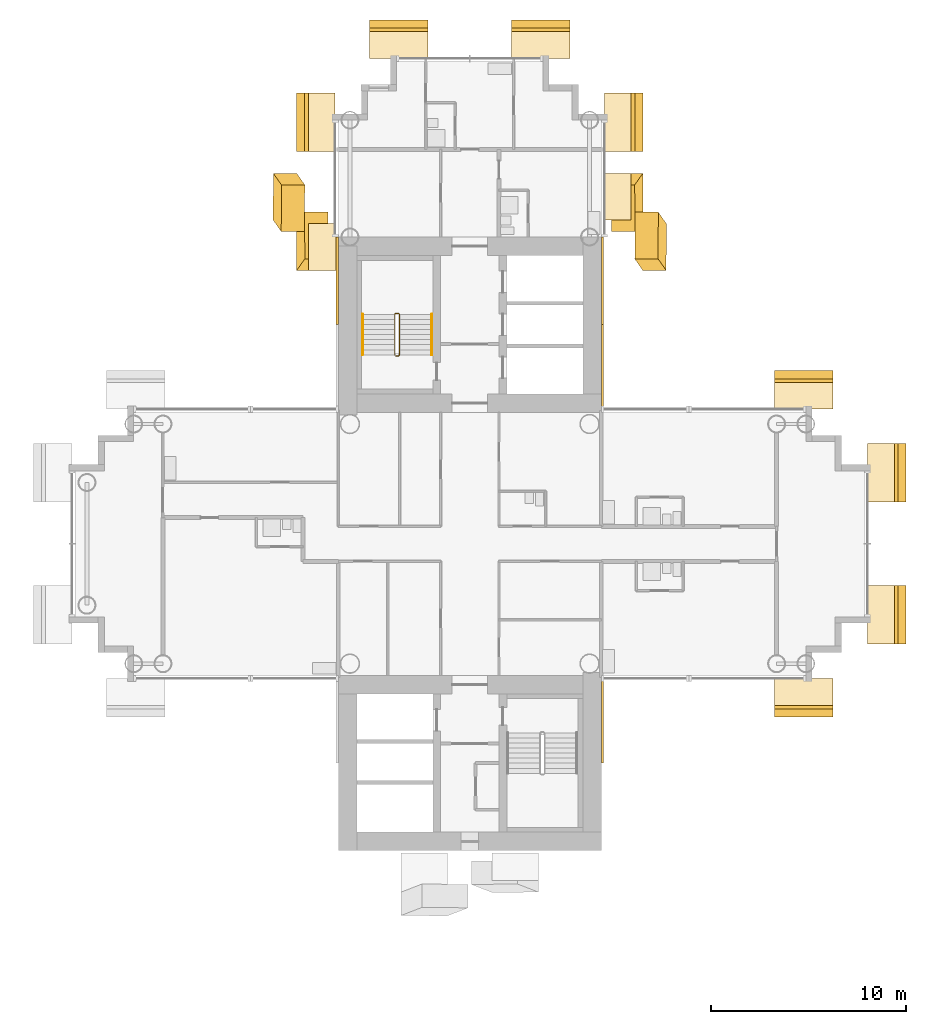
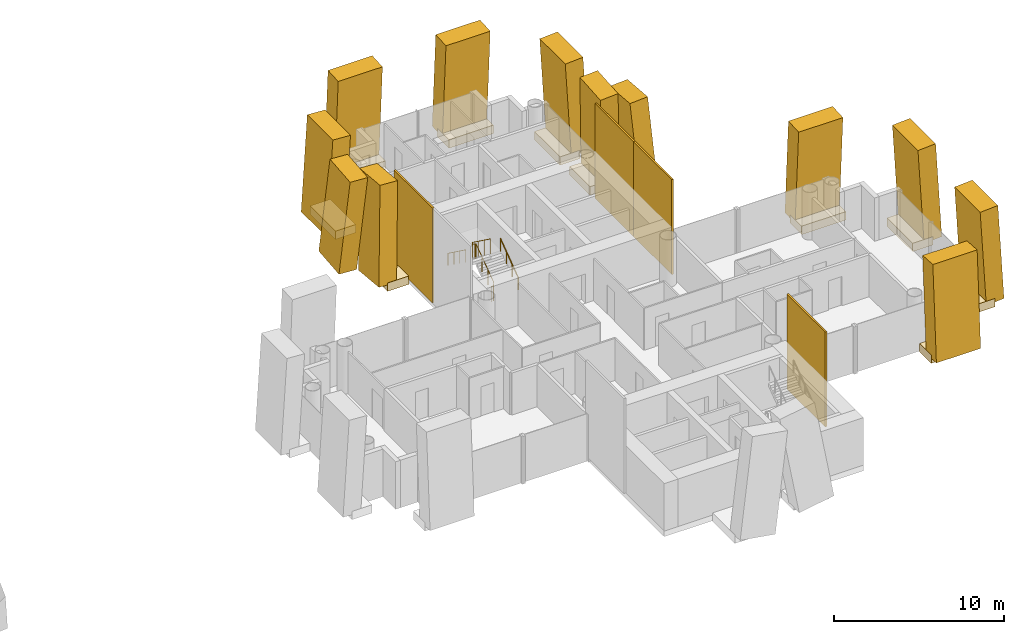
# One storey, part 20 of 21: 26 coverings, 3 railings.
"""IFC4 building model written with IfcOpenShell, lengths in metres."""

import ifcopenshell
import ifcopenshell.guid

model = None  # the IFC model being written
_history = None  # IfcOwnerHistory: only IFC2X3 demands one
_inside = {}  # id of a spatial element -> (the spatial element, [elements in it])
_under = {}  # id of a project, library or spatial element -> (it, [spatial elements below it])
_declared = {}  # id of a project -> (the project, [libraries it declares])
_typed = {}  # id of a type object -> (the type object, [elements of that type])
_made_of = {}  # id of a material, layer set ... -> (it, [elements and type objects made of it])


def new_model(schema):
    """Start an empty IFC model of exactly this schema.

    Asked for "IFC4X3", IfcOpenShell would pick the latest addendum, in which some entities
    have other attributes; the version numbers below select the first issue.
    IFC2X3 requires an IfcOwnerHistory on every rooted entity: one is made here for all.
    """
    global model, _history
    if schema == "IFC4X3":
        model = ifcopenshell.file(schema_version=(4, 3, 0, 0))
    else:
        model = ifcopenshell.file(schema=schema)
    _inside.clear()
    _under.clear()
    _declared.clear()
    _typed.clear()
    _made_of.clear()
    _history = None
    if model.schema == "IFC2X3":
        org = make("IfcOrganization", Name="unknown")
        user = make(
            "IfcPersonAndOrganization",
            ThePerson=make("IfcPerson", FamilyName="unknown"),
            TheOrganization=org,
        )
        app = make(
            "IfcApplication",
            ApplicationDeveloper=org,
            Version="unknown",
            ApplicationFullName="unknown",
            ApplicationIdentifier="unknown",
        )
        _history = make(
            "IfcOwnerHistory",
            OwningUser=user,
            OwningApplication=app,
            ChangeAction="ADDED",
            CreationDate=0,
        )
    return model


def make(cls, **values):
    """One entity of the class cls with the attributes given. An attribute that is None is left unset."""
    return model.create_entity(
        cls, **{name: value for name, value in values.items() if value is not None}
    )


def rooted(cls, **values):
    """An entity with a GlobalId (a new one), such as an element, a storey or a relation."""
    return make(cls, GlobalId=ifcopenshell.guid.new(), OwnerHistory=_history, **values)


def si_unit(unit_type, name, prefix=None):
    """IfcSIUnit, for example si_unit("LENGTHUNIT", "METRE", prefix="MILLI")."""
    return make("IfcSIUnit", UnitType=unit_type, Prefix=prefix, Name=name)


def assignment(units):
    """IfcUnitAssignment: the units of a project."""
    return None if units is None else make("IfcUnitAssignment", Units=units)


def point(xyz):
    """IfcCartesianPoint."""
    return None if xyz is None else make("IfcCartesianPoint", Coordinates=xyz)


def direction(xyz):
    """IfcDirection."""
    return None if xyz is None else make("IfcDirection", DirectionRatios=xyz)


def frame(location, z_axis=None, x_axis=None):
    """IfcAxis2Placement3D, a coordinate frame: its origin and axes. An axis left out is left unset."""
    return make(
        "IfcAxis2Placement3D",
        Location=point(location),
        Axis=direction(z_axis),
        RefDirection=direction(x_axis),
    )


def frame_2d(location, x_axis=None):
    """IfcAxis2Placement2D, a coordinate frame in the plane: its origin and x axis."""
    return make(
        "IfcAxis2Placement2D", Location=point(location), RefDirection=direction(x_axis)
    )


def origin():
    """The frame at (0, 0, 0) with its axes left unset."""
    return frame((0.0, 0.0, 0.0))


def origin_2d():
    """The frame at (0, 0) in the plane with its x axis left unset."""
    return frame_2d((0.0, 0.0))


def place(relative_to, where):
    """IfcLocalPlacement: puts the frame where relative to a parent placement (None: the world)."""
    return make(
        "IfcLocalPlacement", PlacementRelTo=relative_to, RelativePlacement=where
    )


def context(
    kind, dimensions, precision=None, world=None, true_north=None, identifier=None
):
    """IfcGeometricRepresentationContext, for example the 3D "Model" context."""
    return make(
        "IfcGeometricRepresentationContext",
        ContextIdentifier=identifier,
        ContextType=kind,
        CoordinateSpaceDimension=dimensions,
        Precision=precision,
        WorldCoordinateSystem=world,
        TrueNorth=true_north,
    )


def subcontext(parent, identifier, kind, view, scale=None):
    """IfcGeometricRepresentationSubContext, for example "Body" below "Model"."""
    return make(
        "IfcGeometricRepresentationSubContext",
        ContextIdentifier=identifier,
        ContextType=kind,
        ParentContext=parent,
        TargetScale=scale,
        TargetView=view,
    )


def project(units=None, contexts=None):
    """IfcProject with its units and contexts."""
    return rooted(
        "IfcProject",
        Name="project",
        RepresentationContexts=contexts,
        UnitsInContext=assignment(units),
    )


def spatial(cls, under=None, at=None, **own):
    """A site, building, storey or space (cls), placed at a placement, below another one or the project."""
    s = rooted(cls, ObjectPlacement=at, **own)
    if under is not None:
        _under.setdefault(under.id(), (under, []))[1].append(s)
    return s


def profile(cls, at=None, kind="AREA", **sizes):
    """A parametric profile (cls). Its sizes go by their IFC names, for example OverallWidth=200.0."""
    return make(cls, ProfileType=kind, Position=at, **sizes)


def rectangle(**sizes):
    """IfcRectangleProfileDef."""
    return profile("IfcRectangleProfileDef", **sizes)


def circle(**sizes):
    """IfcCircleProfileDef."""
    return profile("IfcCircleProfileDef", **sizes)


def extrude(swept, where, along, depth):
    """IfcExtrudedAreaSolid: the profile swept, set in the frame where, extruded along a direction by depth."""
    return make(
        "IfcExtrudedAreaSolid",
        SweptArea=swept,
        Position=where,
        ExtrudedDirection=direction(along),
        Depth=depth,
    )


def shape(context_of_items, identifier, shape_type, items):
    """IfcShapeRepresentation: the items that make up one representation, for example the "Body"."""
    return make(
        "IfcShapeRepresentation",
        ContextOfItems=context_of_items,
        RepresentationIdentifier=identifier,
        RepresentationType=shape_type,
        Items=items,
    )


def material(Name=None, Category=None):
    """IfcMaterial."""
    return make("IfcMaterial", Name=Name, Category=Category)


def layer(
    of_material, thickness, ventilated=None, Name=None, Category=None, Priority=None
):
    """IfcMaterialLayer: one layer of a wall or slab, of a material (None: an air gap)."""
    return make(
        "IfcMaterialLayer",
        Material=of_material,
        LayerThickness=thickness,
        IsVentilated=ventilated,
        Name=Name,
        Category=Category,
        Priority=Priority,
    )


def layer_set(layers, Name=None):
    """IfcMaterialLayerSet."""
    return make("IfcMaterialLayerSet", MaterialLayers=layers, LayerSetName=Name)


def material_profile(
    of_material, cross_section, Name=None, Category=None, Priority=None
):
    """IfcMaterialProfile: a cross section and its material."""
    return make(
        "IfcMaterialProfile",
        Name=Name,
        Material=of_material,
        Profile=cross_section,
        Priority=Priority,
        Category=Category,
    )


def profile_set(profiles, Name=None, composite=None):
    """IfcMaterialProfileSet."""
    return make(
        "IfcMaterialProfileSet",
        Name=Name,
        MaterialProfiles=profiles,
        CompositeProfile=composite,
    )


def made_of(thing, what):
    """Note that an element or type object is made of a material, layer set ...; save() writes the relation."""
    if what is not None:
        _made_of.setdefault(what.id(), (what, []))[1].append(thing)
    return thing


def type_object(cls, material=None, **own):
    """A type object (cls), such as IfcWallType, which elements share."""
    return made_of(rooted(cls, **own), material)


def element(
    cls,
    number,
    at=None,
    inside=None,
    cuts=None,
    type_object=None,
    material=None,
    context=None,
    identifier="Body",
    shape_type=None,
    held_by="IfcProductDefinitionShape",
    body=None,
    shapes=None,
    **own,
):
    """One element of the class cls, such as IfcWall. Its Tag is "e" and its number.

    at: its placement. inside: the storey or other place that contains it. cuts: it is an
    opening in that element (IfcRelVoidsElement). A single representation is given by context,
    identifier, shape_type and body (its items); several are given by shapes. held_by: the class
    of the entity that holds the representations. save() writes the other relations.
    """
    e = rooted(cls, Tag="e%d" % number, ObjectPlacement=at, **own)
    if body is not None:
        shapes = [shape(context, identifier, shape_type, body)]
    if shapes is not None:
        e.Representation = make(held_by, Representations=shapes)
    if inside is not None:
        _inside.setdefault(inside.id(), (inside, []))[1].append(e)
    if cuts is not None:
        rooted(
            "IfcRelVoidsElement", RelatingBuildingElement=cuts, RelatedOpeningElement=e
        )
    if type_object is not None:
        _typed.setdefault(type_object.id(), (type_object, []))[1].append(e)
    return made_of(e, material)


def aggregate(whole, parts):
    """IfcRelAggregates: a whole, such as a stair, and the parts it consists of."""
    return rooted("IfcRelAggregates", RelatingObject=whole, RelatedObjects=parts)


def save(model, path):
    """Write the relations noted so far, then the file.

    IfcRelAggregates (storeys below a building ...), IfcRelContainedInSpatialStructure (elements
    in a storey), IfcRelDefinesByType, IfcRelAssociatesMaterial and IfcRelDeclares: one each for
    every whole, place, type object, material and project.
    """
    for whole, parts in _under.values():
        aggregate(whole, parts)
    for where, things in _inside.values():
        rooted(
            "IfcRelContainedInSpatialStructure",
            RelatedElements=things,
            RelatingStructure=where,
        )
    for kind, things in _typed.values():
        rooted("IfcRelDefinesByType", RelatedObjects=things, RelatingType=kind)
    for what, things in _made_of.values():
        rooted("IfcRelAssociatesMaterial", RelatedObjects=things, RelatingMaterial=what)
    for by, libraries in _declared.values():
        rooted("IfcRelDeclares", RelatingContext=by, RelatedDefinitions=libraries)
    model.write(path)


model = new_model("IFC4")

# Units and contexts
model_context = context("Model", 3, precision=1e-05, world=origin(), true_north=direction((0.0, 1.0)))
body_context = subcontext(model_context, "Body", "Model", "MODEL_VIEW")
ifc_project = project(units=[si_unit("LENGTHUNIT", "METRE"), si_unit("AREAUNIT", "SQUARE_METRE"), si_unit("VOLUMEUNIT", "CUBIC_METRE"), si_unit("PLANEANGLEUNIT", "RADIAN"), si_unit("MASSUNIT", "GRAM", prefix="KILO")], contexts=[model_context])

# Site, building, storey
site_placement = place(None, origin())
site = spatial("IfcSite", under=ifc_project, at=site_placement, CompositionType="ELEMENT")
building_placement = place(site_placement, origin())
building = spatial("IfcBuilding", under=site, at=building_placement, Name="Ipe Terrace Towers", CompositionType="ELEMENT")
storey_placement = place(building_placement, frame((0.0, 0.0, 86.800048828125)))
storey = spatial("IfcBuildingStorey", under=building, at=storey_placement, Name="L23", CompositionType="ELEMENT", Elevation=86.800048828125)

# Coverings
ifc_material_1 = material(Name="Concrete C50/60 precast, buff finish", Category="concrete")
ifc_layer = layer(ifc_material_1, 0.1201171875)
ifc_layer_set = layer_set([ifc_layer], Name="STONE CORE CLADDING 120")
covering_type_1 = type_object("IfcCoveringType", Name="STONE CORE CLADDING 120", PredefinedType="CLADDING", material=ifc_layer_set)
covering_1_placement = place(storey_placement, frame((29.18994140625, 13.5, 0.0), z_axis=(0.0, 0.0, 1.0), x_axis=(0.0, -1.0, 0.0)))
element("IfcCovering", 1, at=covering_1_placement, inside=storey, type_object=covering_type_1, Name="stone core cladding", PredefinedType="CLADDING", context=body_context, shape_type="SweptSolid", body=[
    extrude(rectangle(XDim=4.5009765625, YDim=0.1201171875, at=origin_2d()), origin(), (0.0, 0.0, 1.0), 6.800048828125),
])
for number, where, z_axis, x_axis, name in (
    (2, (42.81005859375, -9.0, 0.0), (0.0, 0.0, 1.0), (0.0, 1.0, 0.0), "stone core cladding"),
    (3, (42.81005859375, 9.0, 0.0), (0.0, 0.0, 1.0), (0.0, 1.0, 0.0), "stone core cladding"),
):
    element("IfcCovering", number, at=place(storey_placement, frame(where, z_axis=z_axis, x_axis=x_axis)), inside=storey, type_object=covering_type_1, Name=name, PredefinedType="CLADDING", context=body_context, shape_type="SweptSolid", body=[
        extrude(rectangle(XDim=4.5, YDim=0.1201171875, at=origin_2d()), origin(), (0.0, 0.0, 1.0), 6.800048828125),
    ])
covering_2_placement = place(storey_placement, frame((42.81005859375, 13.5, 0.0), z_axis=(0.0, 0.0, 1.0), x_axis=(0.0, 1.0, 0.0)))
element("IfcCovering", 4, at=covering_2_placement, inside=storey, type_object=covering_type_1, Name="stone core cladding", PredefinedType="CLADDING", context=body_context, shape_type="SweptSolid", body=[
    extrude(rectangle(XDim=4.5009765625, YDim=0.1201171875, at=origin_2d()), origin(), (0.0, 0.0, 1.0), 6.800048828125),
])
ifc_material_2 = material(Name="Concrete C50/60 precast, buff finish", Category="concrete")
ifc_material_profile_1 = material_profile(ifc_material_2, rectangle(XDim=2.39990234375, YDim=1.199951171875, at=origin_2d()), Name="STONE FIN 2400 x 1200")
ifc_profile_set_1 = profile_set([ifc_material_profile_1], Name="Concrete C50/60 precast, buff finish")
covering_type_2 = type_object("IfcCoveringType", Name="STONE FIN 2400 x 1200", PredefinedType="USERDEFINED", material=ifc_profile_set_1)
for number, where, z_axis, x_axis, name in (
    (5, (26.511962890625, 17.819091796875, 0.0), (0.060691853614, -0.086717948488, 0.994382469835), (-0.005282974506, -0.996232903196, -0.086556875927), "stone fin"),
    (6, (27.7119140625, 15.23095703125, 0.0), (0.060691853614, 0.086717948488, 0.994382469835), (0.005282974506, -0.996232903196, 0.086556875927), "stone fin"),
    (7, (44.2880859375, 17.819091796875, 0.0), (-0.060691853614, -0.086717948488, 0.994382469835), (-0.005282974506, 0.996232903196, 0.086556875927), "stone fin"),
    (8, (45.488037109375, 15.23095703125, 0.0), (-0.060691853614, 0.086717948488, 0.994382469835), (0.005282974506, 0.996232903196, -0.086556875927), "stone fin"),
):
    element("IfcCovering", number, at=place(storey_placement, frame(where, z_axis=z_axis, x_axis=x_axis)), inside=storey, type_object=covering_type_2, Name=name, ObjectType="FIN", PredefinedType="USERDEFINED", context=body_context, shape_type="SweptSolid", body=[
        extrude(rectangle(XDim=2.39990234375, YDim=1.199951171875, at=origin_2d()), origin(), (0.0, 0.0, 1.0), 6.83837890625),
    ])
ifc_material_3 = material(Name="Concrete C50/60 precast, buff finish", Category="concrete")
ifc_material_profile_2 = material_profile(ifc_material_3, rectangle(XDim=3.0, YDim=1.199951171875, at=origin_2d()), Name="STONE FIN CORNER 3000 x 1200")
ifc_profile_set_2 = profile_set([ifc_material_profile_2], Name="Concrete C50/60 precast, buff finish")
covering_type_3 = type_object("IfcCoveringType", Name="STONE FIN CORNER 3000 x 1200", PredefinedType="USERDEFINED", material=ifc_profile_set_2)
for number, where, z_axis, x_axis, name in (
    (9, (27.7119140625, 21.64990234375, 0.0), (0.060921350238, 0.0, 0.998142569519), (0.0, -1.0, 0.0), "stone fin"),
    (10, (32.35009765625, 26.2880859375, 0.0), (0.0, -0.060921350238, 0.998142569519), (-1.0, 0.0, 0.0), "stone fin"),
    (11, (39.64990234375, 26.2880859375, 0.0), (0.0, -0.060921350238, 0.998142569519), (-1.0, 0.0, 0.0), "stone fin"),
    (12, (44.2880859375, 21.64990234375, 0.0), (-0.060921350238, 0.0, 0.998142569519), (0.0, 1.0, 0.0), "stone fin"),
    (13, (53.14990234375, -8.2880859375, 0.0), (0.0, 0.060921350238, 0.998142569519), (1.0, 0.0, 0.0), "stone fin"),
    (14, (53.14990234375, 8.2880859375, 0.0), (0.0, -0.060921350238, 0.998142569519), (-1.0, 0.0, 0.0), "stone fin"),
    (15, (57.7880859375, -3.64990234375, 0.0), (-0.060921350238, 0.0, 0.998142569519), (0.0, 1.0, 0.0), "stone fin"),
    (16, (57.7880859375, 3.64990234375, 0.0), (-0.060921350238, 0.0, 0.998142569519), (0.0, 1.0, 0.0), "stone fin"),
):
    element("IfcCovering", number, at=place(storey_placement, frame(where, z_axis=z_axis, x_axis=x_axis)), inside=storey, type_object=covering_type_3, Name=name, ObjectType="FIN", PredefinedType="USERDEFINED", context=body_context, shape_type="SweptSolid", body=[
        extrude(rectangle(XDim=3.0, YDim=1.199951171875, at=origin_2d()), origin(), (0.0, 0.0, 1.0), 6.812744140625),
    ])
ifc_material_4 = material(Name="Concrete C50/60 precast, buff finish", Category="concrete")
covering_type_4 = type_object("IfcCoveringType", Name="STONE FIN SHELF 2400 x 600", PredefinedType="CLADDING", material=ifc_material_4)
covering_3_placement = place(storey_placement, frame((28.426025390625, 15.23095703125, -0.35009765625), z_axis=(0.0, 0.0, 1.0), x_axis=(0.0, -1.0, 0.0)))
element("IfcCovering", 17, at=covering_3_placement, inside=storey, type_object=covering_type_4, Name="stone fin shelf", PredefinedType="CLADDING", context=body_context, shape_type="SweptSolid", body=[
    extrude(rectangle(XDim=2.39990234375, YDim=1.427978515625, at=origin_2d()), origin(), (0.0, 0.0, 1.0), 0.60009765625),
])
covering_4_placement = place(storey_placement, frame((43.60205078125, 17.819091796875, -0.35009765625), z_axis=(0.0, 0.0, 1.0), x_axis=(0.0, 1.0, 0.0)))
element("IfcCovering", 18, at=covering_4_placement, inside=storey, type_object=covering_type_4, Name="stone fin shelf", PredefinedType="CLADDING", context=body_context, shape_type="SweptSolid", body=[
    extrude(rectangle(XDim=2.39990234375, YDim=1.3720703125, at=origin_2d()), origin(), (0.0, 0.0, 1.0), 0.60009765625),
])
ifc_material_5 = material(Name="Concrete C50/60 precast, buff finish", Category="concrete")
covering_type_5 = type_object("IfcCoveringType", Name="STONE FIN SHELF 3000 x 600", PredefinedType="CLADDING", material=ifc_material_5)
for number, where, z_axis, x_axis, name in (
    (19, (28.39794921875, 21.64990234375, -0.35009765625), (0.0, 0.0, 1.0), (0.0, -1.0, 0.0), "stone fin shelf"),
    (20, (32.35009765625, 25.60205078125, -0.35009765625), (0.0, 0.0, 1.0), (-1.0, 0.0, 0.0), "stone fin shelf"),
    (21, (39.64990234375, 25.60205078125, -0.35009765625), (0.0, 0.0, 1.0), (-1.0, 0.0, 0.0), "stone fin shelf"),
    (22, (43.60205078125, 21.64990234375, -0.35009765625), (0.0, 0.0, 1.0), (0.0, 1.0, 0.0), "stone fin shelf"),
    (23, (53.14990234375, -7.60205078125, -0.35009765625), (0.0, 0.0, 1.0), (1.0, 0.0, 0.0), "stone fin shelf"),
    (24, (53.14990234375, 7.60205078125, -0.35009765625), (0.0, 0.0, 1.0), (-1.0, 0.0, 0.0), "stone fin shelf"),
    (25, (57.10205078125, -3.64990234375, -0.35009765625), (0.0, 0.0, 1.0), (0.0, 1.0, 0.0), "stone fin shelf"),
    (26, (57.10205078125, 3.64990234375, -0.35009765625), (0.0, 0.0, 1.0), (0.0, 1.0, 0.0), "stone fin shelf"),
):
    element("IfcCovering", number, at=place(storey_placement, frame(where, z_axis=z_axis, x_axis=x_axis)), inside=storey, type_object=covering_type_5, Name=name, PredefinedType="CLADDING", context=body_context, shape_type="SweptSolid", body=[
        extrude(rectangle(XDim=3.0, YDim=1.3720703125, at=origin_2d()), origin(), (0.0, 0.0, 1.0), 0.60009765625),
    ])

# Railings
ifc_material_6 = material(Name="Steel S355", Category="steel")
railing_type_1 = type_object("IfcRailingType", Name="Stair guard 1100", PredefinedType="GUARDRAIL", material=ifc_material_6)
railing_1_placement = place(storey_placement, frame((32.199951171875, 9.64990234375, 0.0)))
element("IfcRailing", 27, at=railing_1_placement, inside=storey, type_object=railing_type_1, Name="L23 T2-ST1 stair guard 1", PredefinedType="GUARDRAIL", context=body_context, shape_type="SweptSolid", body=[
    extrude(circle(Radius=0.02392578125, at=origin_2d()), frame((0.0, 0.0, 1.076171875), z_axis=(1.0, 0.0, 0.0), x_axis=(0.0, 1.0, 0.0)), (0.0, 0.0, 1.0), 0.150146484375),
    extrude(circle(Radius=0.02392578125, at=origin_2d()), frame((0.150146484375, 0.0, 1.076171875), z_axis=(0.247173786771, 0.248385422981, 0.936594790069), x_axis=(-0.708833529934, 0.705375805398, 0.0)), (0.0, 0.0, 1.0), 0.201416015625),
    extrude(circle(Radius=0.02392578125, at=origin_2d()), frame((0.199951171875, 0.050048828125, 1.2646484375), z_axis=(0.0, 0.809023421508, 0.587776406001), x_axis=(-1.0, 0.0, 0.0)), (0.0, 0.0, 1.0), 2.571044921875),
    extrude(circle(Radius=0.02392578125, at=origin_2d()), frame((0.199951171875, 2.130126953125, 2.77587890625), z_axis=(-0.705375805398, 0.708833529934, 0.0), x_axis=(-0.708833529934, -0.705375805398, 0.0)), (0.0, 0.0, 1.0), 0.070556640625),
    extrude(circle(Radius=0.02392578125, at=origin_2d()), frame((0.150146484375, 2.18017578125, 2.77587890625), z_axis=(-1.0, 0.0, 0.0), x_axis=(0.0, -1.0, 0.0)), (0.0, 0.0, 1.0), 0.150146484375),
    extrude(circle(Radius=0.02392578125, at=origin_2d()), frame((0.0, 2.18017578125, 2.77587890625), z_axis=(-0.248029566107, -0.248029566107, 0.936462849596), x_axis=(0.707106781187, -0.707106781187, 0.0)), (0.0, 0.0, 1.0), 0.201904296875),
    extrude(circle(Radius=0.02392578125, at=origin_2d()), frame((-0.050048828125, 2.130126953125, 2.96484375), z_axis=(0.0, -0.809068575486, 0.587714250432), x_axis=(1.0, 0.0, 0.0)), (0.0, 0.0, 1.0), 2.571044921875),
    extrude(circle(Radius=0.02099609375, at=origin_2d()), origin(), (0.0, 0.0, 1.0), 1.052001953125),
    extrude(circle(Radius=0.02099609375, at=origin_2d()), frame((0.150146484375, 0.0, 0.0)), (0.0, 0.0, 1.0), 1.052001953125),
    extrude(circle(Radius=0.02099609375, at=origin_2d()), frame((0.199951171875, 0.050048828125, 0.188720703125)), (0.0, 0.0, 1.0), 1.052001953125),
    extrude(circle(Radius=0.02099609375, at=origin_2d()), frame((0.199951171875, 0.743408203125, 0.6923828125)), (0.0, 0.0, 1.0), 1.052001953125),
    extrude(circle(Radius=0.02099609375, at=origin_2d()), frame((0.199951171875, 1.436767578125, 1.1962890625)), (0.0, 0.0, 1.0), 1.052001953125),
    extrude(circle(Radius=0.02099609375, at=origin_2d()), frame((0.199951171875, 2.130126953125, 1.699951171875)), (0.0, 0.0, 1.0), 1.052001953125),
    extrude(circle(Radius=0.02099609375, at=origin_2d()), frame((0.150146484375, 2.18017578125, 1.699951171875)), (0.0, 0.0, 1.0), 1.052001953125),
    extrude(circle(Radius=0.02099609375, at=origin_2d()), frame((0.0, 2.18017578125, 1.699951171875)), (0.0, 0.0, 1.0), 1.052001953125),
    extrude(circle(Radius=0.02099609375, at=origin_2d()), frame((-0.050048828125, 2.130126953125, 1.888916015625)), (0.0, 0.0, 1.0), 1.052001953125),
    extrude(circle(Radius=0.02099609375, at=origin_2d()), frame((-0.050048828125, 1.436767578125, 2.392578125)), (0.0, 0.0, 1.0), 1.052001953125),
    extrude(circle(Radius=0.02099609375, at=origin_2d()), frame((-0.050048828125, 0.743408203125, 2.896240234375)), (0.0, 0.0, 1.0), 1.052001953125),
    extrude(circle(Radius=0.02099609375, at=origin_2d()), frame((-0.050048828125, 0.050048828125, 3.39990234375)), (0.0, 0.0, 1.0), 1.052001953125),
])
ifc_material_7 = material(Name="Stainless steel grade 304", Category="steel")
railing_type_2 = type_object("IfcRailingType", Name="Stair handrail 900", PredefinedType="HANDRAIL", material=ifc_material_7)
railing_2_placement = place(storey_placement, frame((34.050048828125, 9.699951171875, 0.188720703125)))
element("IfcRailing", 28, at=railing_2_placement, inside=storey, type_object=railing_type_2, Name="L23 T2-ST1 stair handrail 1", PredefinedType="HANDRAIL", context=body_context, shape_type="SweptSolid", body=[
    extrude(circle(Radius=0.02392578125, at=origin_2d()), frame((0.0, 0.0, 0.8759765625), z_axis=(0.0, 0.809023421508, 0.587776406001), x_axis=(-1.0, 0.0, 0.0)), (0.0, 0.0, 1.0), 2.571044921875),
    extrude(circle(Radius=0.02099609375, at=origin_2d()), origin(), (0.0, 0.0, 1.0), 0.851806640625),
    extrude(circle(Radius=0.02099609375, at=origin_2d()), frame((0.0, 0.693359375, 0.503662109375)), (0.0, 0.0, 1.0), 0.851806640625),
    extrude(circle(Radius=0.02099609375, at=origin_2d()), frame((0.0, 1.38671875, 1.007568359375)), (0.0, 0.0, 1.0), 0.851806640625),
    extrude(circle(Radius=0.02099609375, at=origin_2d()), frame((0.0, 2.080078125, 1.51123046875)), (0.0, 0.0, 1.0), 0.851806640625),
])
railing_3_placement = place(storey_placement, frame((30.5, 11.780029296875, 1.888916015625)))
element("IfcRailing", 29, at=railing_3_placement, inside=storey, type_object=railing_type_2, Name="L23 T2-ST1 stair handrail 2", PredefinedType="HANDRAIL", context=body_context, shape_type="SweptSolid", body=[
    extrude(circle(Radius=0.02392578125, at=origin_2d()), frame((0.0, 0.0, 0.8759765625), z_axis=(0.0, -0.809068575486, 0.587714250432), x_axis=(1.0, 0.0, 0.0)), (0.0, 0.0, 1.0), 2.571044921875),
    extrude(circle(Radius=0.02099609375, at=origin_2d()), origin(), (0.0, 0.0, 1.0), 0.851806640625),
    extrude(circle(Radius=0.02099609375, at=origin_2d()), frame((0.0, -0.693359375, 0.503662109375)), (0.0, 0.0, 1.0), 0.851806640625),
    extrude(circle(Radius=0.02099609375, at=origin_2d()), frame((0.0, -1.38671875, 1.00732421875)), (0.0, 0.0, 1.0), 0.851806640625),
    extrude(circle(Radius=0.02099609375, at=origin_2d()), frame((0.0, -2.080078125, 1.510986328125)), (0.0, 0.0, 1.0), 0.851806640625),
])

save(model, "model.ifc")
